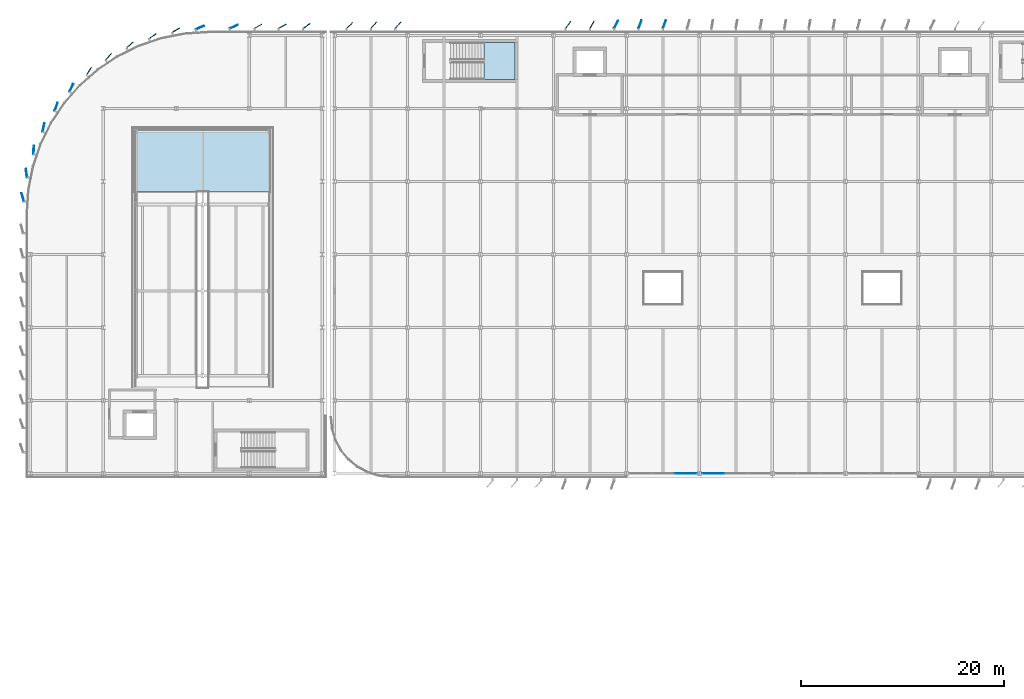
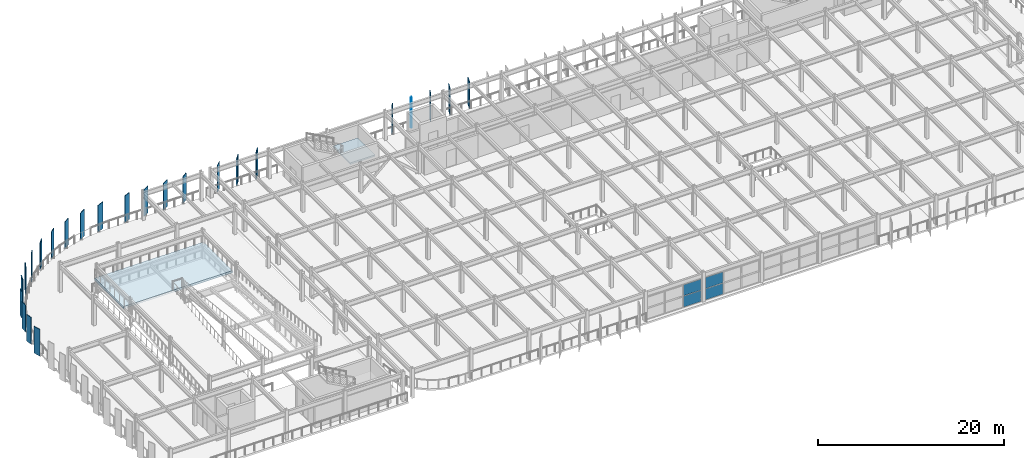
# One storey, part 28 of 52: 28 plates, 2 slabs, 3 elements without a shape of their own.
"""IFC4 building model written with IfcOpenShell, lengths in metres."""

from ifc_helpers import new_model, si_unit, direction, frame, origin, origin_2d, place, context, subcontext, project, spatial, polyline, rectangle, outline, extrude, material, layer, layer_set, type_object, element, aggregate, save


model = new_model("IFC4")

# Units and contexts
model_context = context("Model", 3, precision=1e-05, world=origin(), true_north=direction((0.0, 1.0)))
body_context = subcontext(model_context, "Body", "Model", "MODEL_VIEW")
ifc_project = project(units=[si_unit("LENGTHUNIT", "METRE"), si_unit("AREAUNIT", "SQUARE_METRE"), si_unit("VOLUMEUNIT", "CUBIC_METRE"), si_unit("PLANEANGLEUNIT", "RADIAN"), si_unit("MASSUNIT", "GRAM", prefix="KILO")], contexts=[model_context])

# Site, building, storey
site_placement = place(None, origin())
site = spatial("IfcSite", under=ifc_project, at=site_placement, CompositionType="ELEMENT")
building_placement = place(site_placement, origin())
building = spatial("IfcBuilding", under=site, at=building_placement, Name="Vaelcorin Mobility Hub", CompositionType="ELEMENT")
storey_placement = place(building_placement, frame((0.0, 0.0, 13.199951171875)))
storey = spatial("IfcBuildingStorey", under=building, at=storey_placement, Name="L03", CompositionType="ELEMENT", Elevation=13.199951171875)

# Curtain wall, plates
ifc_material_1 = material(Name="Anodised aluminium 6063-T6", Category="aluminium")
curtain_wall_type = type_object("IfcCurtainWallType", Name="CW-MOB-A", PredefinedType="NOTDEFINED", material=ifc_material_1)
curtain_wall_1_placement = place(storey_placement, origin())
curtain_wall_1 = element("IfcCurtainWall", 1, at=curtain_wall_1_placement, inside=storey, type_object=curtain_wall_type, Name="L03 Curtain Wall CW-V4-L03-S-05", PredefinedType="NOTDEFINED")
ifc_material_2 = material(Name="Low-E solar-control insulated glazing", Category="glass")
ifc_layer_1 = layer(ifc_material_2, 0.028076171875)
ifc_layer_set_1 = layer_set([ifc_layer_1], Name="Low-E solar-control insulated glazing")
plate_type_1 = type_object("IfcPlateType", Name="CW-PAN-GLZ28", PredefinedType="CURTAIN_PANEL", material=ifc_layer_set_1)
plate_1_placement = place(storey_placement, frame((70.638427734375, 76.800048828125, 0.06005859375), z_axis=(0.0, 0.0, 1.0), x_axis=(-1.0, 0.0, 0.0)))
plate_1 = element("IfcPlate", 2, at=plate_1_placement, type_object=plate_type_1, Name="CW7 panel 1.1", PredefinedType="CURTAIN_PANEL", context=body_context, shape_type="SweptSolid", body=[
    extrude(rectangle(XDim=2.163330078125, YDim=0.028076171875, at=origin_2d()), origin(), (0.0, 0.0, 1.0), 1.426025390625),
])
plate_2_placement = place(storey_placement, frame((70.638427734375, 76.800048828125, 1.5458984375), z_axis=(0.0, 0.0, 1.0), x_axis=(-1.0, 0.0, 0.0)))
plate_2 = element("IfcPlate", 3, at=plate_2_placement, type_object=plate_type_1, Name="CW7 panel 1.2", PredefinedType="CURTAIN_PANEL", context=body_context, shape_type="SweptSolid", body=[
    extrude(rectangle(XDim=2.163330078125, YDim=0.028076171875, at=origin_2d()), origin(), (0.0, 0.0, 1.0), 1.427001953125),
])
aggregate(curtain_wall_1, [plate_1, plate_2])

curtain_wall_2_placement = place(storey_placement, origin())
curtain_wall_2 = element("IfcCurtainWall", 4, at=curtain_wall_2_placement, inside=storey, type_object=curtain_wall_type, Name="L03 Curtain Wall CW-V4-L03-S-06", PredefinedType="NOTDEFINED")
plate_3_placement = place(storey_placement, frame((73.361572265625, 76.800048828125, 0.06005859375), z_axis=(0.0, 0.0, 1.0), x_axis=(-1.0, 0.0, 0.0)))
plate_3 = element("IfcPlate", 5, at=plate_3_placement, type_object=plate_type_1, Name="CW7 panel 3.1", PredefinedType="CURTAIN_PANEL", context=body_context, shape_type="SweptSolid", body=[
    extrude(rectangle(XDim=2.163330078125, YDim=0.028076171875, at=origin_2d()), origin(), (0.0, 0.0, 1.0), 1.426025390625),
])
plate_4_placement = place(storey_placement, frame((73.361572265625, 76.800048828125, 1.5458984375), z_axis=(0.0, 0.0, 1.0), x_axis=(-1.0, 0.0, 0.0)))
plate_4 = element("IfcPlate", 6, at=plate_4_placement, type_object=plate_type_1, Name="CW7 panel 3.2", PredefinedType="CURTAIN_PANEL", context=body_context, shape_type="SweptSolid", body=[
    extrude(rectangle(XDim=2.163330078125, YDim=0.028076171875, at=origin_2d()), origin(), (0.0, 0.0, 1.0), 1.427001953125),
])
aggregate(curtain_wall_2, [plate_3, plate_4])

# Plates
ifc_material_3 = material(Name="Perforated terracotta-bronze aluminium aerofoil", Category="masonry")
ifc_layer_2 = layer(ifc_material_3, 0.06494140625)
ifc_layer_set_2 = layer_set([ifc_layer_2], Name="Perforated terracotta-bronze aluminium aerofoil")
plate_type_2 = type_object("IfcPlateType", Name="PL-FIN-AF2", PredefinedType="SHEET", material=ifc_layer_set_2)
for number, where, z_axis, x_axis, name in (
    (7, (37.5009765625, 120.990966796875, -0.159912109375), (0.0, 0.0, 1.0), (0.707106781187, 0.707106781187, 0.0), "Rotating Terracotta-Bronze Aerofoil Fin FIN-V4-L03-N-01-AF-01"),
    (8, (39.873046875, 121.01611328125, -0.159912109375), (0.0, 0.0, 1.0), (0.642787609687, 0.766044443119, 0.0), "Rotating Terracotta-Bronze Aerofoil Fin FIN-V4-L03-N-01-AF-02"),
    (9, (42.27294921875, 121.01611328125, -0.159912109375), (0.0, 0.0, 1.0), (0.642787609687, 0.766044443119, 0.0), "Rotating Terracotta-Bronze Aerofoil Fin FIN-V4-L03-N-01-AF-03"),
    (10, (59.0439453125, 121.0380859375, -0.159912109375), (0.0, 0.0, 1.0), (0.573576436351, 0.819152044289, 0.0), "Rotating Terracotta-Bronze Aerofoil Fin FIN-V4-L03-N-04-AF-01"),
    (11, (61.412109375, 121.05810546875, -0.159912109375), (0.0, 0.0, 1.0), (0.5, 0.866025403784, 0.0), "Rotating Terracotta-Bronze Aerofoil Fin FIN-V4-L03-N-04-AF-02"),
    (12, (63.780029296875, 121.074951171875, -0.159912109375), (0.0, 0.0, 1.0), (0.422618261741, 0.906307787037, 0.0), "Rotating Terracotta-Bronze Aerofoil Fin FIN-V4-L03-N-04-AF-03"),
    (13, (66.14501953125, 121.089111328125, -0.159912109375), (0.0, 0.0, 1.0), (0.342020143326, 0.939692620786, 0.0), "Rotating Terracotta-Bronze Aerofoil Fin FIN-V4-L03-N-05-AF-01"),
    (14, (68.544921875, 121.089111328125, -0.159912109375), (0.0, 0.0, 1.0), (0.342020143326, 0.939692620786, 0.0), "Rotating Terracotta-Bronze Aerofoil Fin FIN-V4-L03-N-05-AF-02"),
):
    element("IfcPlate", number, at=place(storey_placement, frame(where, z_axis=z_axis, x_axis=x_axis)), inside=storey, type_object=plate_type_2, Name=name, PredefinedType="SHEET", context=body_context, shape_type="SweptSolid", body=[
        extrude(rectangle(XDim=0.85009765625, YDim=0.06494140625, at=origin_2d()), origin(), (0.0, 0.0, 1.0), 3.5),
    ])
ifc_layer_3 = layer(ifc_material_3, 0.070068359375)
ifc_layer_set_3 = layer_set([ifc_layer_3], Name="Perforated terracotta-bronze aluminium aerofoil")
plate_type_3 = type_object("IfcPlateType", Name="PL-FIN-AF3", PredefinedType="SHEET", material=ifc_layer_set_3)
for number, where, z_axis, x_axis, name in (
    (15, (26.0849609375, 120.8701171875, -0.159912109375), (0.0, 0.0, 1.0), (0.906307787037, 0.422618261741, 0.0), "Rotating Terracotta-Bronze Aerofoil Fin FIN-V2W-L03-N-AF-01"),
    (16, (28.468017578125, 120.902099609375, -0.159912109375), (0.0, 0.0, 1.0), (0.866025403784, 0.5, 0.0), "Rotating Terracotta-Bronze Aerofoil Fin FIN-V2W-L03-N-AF-02"),
    (17, (30.867919921875, 120.902099609375, -0.159912109375), (0.0, 0.0, 1.0), (0.866025403784, 0.5, 0.0), "Rotating Terracotta-Bronze Aerofoil Fin FIN-V2W-L03-N-AF-03"),
    (18, (33.248046875, 120.93408203125, -0.159912109375), (0.0, 0.0, 1.0), (0.819152044289, 0.573576436351, 0.0), "Rotating Terracotta-Bronze Aerofoil Fin FIN-V2W-L03-N-AF-04"),
    (19, (22.7490234375, 120.783935546875, -0.159912109375), (0.0, 0.0, 1.0), (0.915304449724, 0.402762664996, 0.0), "Rotating Terracotta-Bronze Aerofoil Fin FIN-V2W-L03-ARC-01"),
    (20, (20.363037109375, 120.52197265625, -0.159912109375), (0.0, 0.0, 1.0), (0.855020503539, 0.51859419446, 0.0), "Rotating Terracotta-Bronze Aerofoil Fin FIN-V2W-L03-ARC-02"),
    (21, (18.052978515625, 119.922119140625, -0.159912109375), (0.0, 0.0, 1.0), (0.831392031959, 0.555686322663, 0.0), "Rotating Terracotta-Bronze Aerofoil Fin FIN-V2W-L03-ARC-03"),
    (22, (15.819091796875, 119.054931640625, -0.159912109375), (0.0, 0.0, 1.0), (0.751724718475, 0.659477025858, 0.0), "Rotating Terracotta-Bronze Aerofoil Fin FIN-V2W-L03-ARC-04"),
    (23, (13.718017578125, 117.903076171875, -0.159912109375), (0.0, 0.0, 1.0), (0.659424543965, 0.751770756824, 0.0), "Rotating Terracotta-Bronze Aerofoil Fin FIN-V2W-L03-ARC-05"),
    (24, (11.784912109375, 116.488037109375, -0.159912109375), (0.0, 0.0, 1.0), (0.555642790316, 0.831421126488, 0.0), "Rotating Terracotta-Bronze Aerofoil Fin FIN-V2W-L03-ARC-06"),
    (25, (10.052978515625, 114.83203125, -0.159912109375), (0.0, 0.0, 1.0), (0.442210421623, 0.896911335087, 0.0), "Rotating Terracotta-Bronze Aerofoil Fin FIN-V2W-L03-ARC-07"),
    (26, (8.552978515625, 112.965087890625, -0.159912109375), (0.0, 0.0, 1.0), (0.32134030125, 0.946963785365, 0.0), "Rotating Terracotta-Bronze Aerofoil Fin FIN-V2W-L03-ARC-08"),
    (27, (7.30908203125, 110.9169921875, -0.159912109375), (0.0, 0.0, 1.0), (0.195261498368, 0.980751215781, 0.0), "Rotating Terracotta-Bronze Aerofoil Fin FIN-V2W-L03-ARC-09"),
    (28, (6.342041015625, 108.72509765625, -0.159912109375), (0.0, 0.0, 1.0), (0.065542455982, 0.997849781512, 0.0), "Rotating Terracotta-Bronze Aerofoil Fin FIN-V2W-L03-ARC-10"),
    (29, (5.633056640625, 106.4208984375, -0.159912109375), (0.0, 0.0, 1.0), (-0.152330384803, 0.988329628143, 0.0), "Rotating Terracotta-Bronze Aerofoil Fin FIN-V2W-L03-ARC-11"),
    (30, (5.26904296875, 104.048095703125, -0.159912109375), (0.0, 0.0, 1.0), (-0.279812257957, 0.960054738177, 0.0), "Rotating Terracotta-Bronze Aerofoil Fin FIN-V2W-L03-ARC-12"),
):
    element("IfcPlate", number, at=place(storey_placement, frame(where, z_axis=z_axis, x_axis=x_axis)), inside=storey, type_object=plate_type_3, Name=name, PredefinedType="SHEET", context=body_context, shape_type="SweptSolid", body=[
        extrude(rectangle(XDim=0.85009765625, YDim=0.070068359375, at=origin_2d()), origin(), (0.0, 0.0, 1.0), 3.5),
    ])

# Stair, slab
ifc_material_4 = material(Name="Reinforced concrete f'c 45 MPa", Category="concrete")
stair_type = type_object("IfcStairType", Name="STAIR-ST3", PredefinedType="HALF_TURN_STAIR", material=ifc_material_4)
stair_placement = place(storey_placement, origin())
stair = element("IfcStair", 31, at=stair_placement, inside=storey, type_object=stair_type, Name="L03 Protected Exit Stair ST3", PredefinedType="HALF_TURN_STAIR")
ifc_layer_4 = layer(ifc_material_4, 0.199951171875)
ifc_layer_set_4 = layer_set([ifc_layer_4], Name="Reinforced concrete f'c 45 MPa")
slab_type_1 = type_object("IfcSlabType", Name="SLAB-LND-200", PredefinedType="LANDING", material=ifc_layer_set_4)
slab_1_placement = place(storey_placement, frame((0.0, 0.0, 1.75)))
slab_1 = element("IfcSlab", 32, at=slab_1_placement, type_object=slab_type_1, Name="ST3 landing 1", PredefinedType="LANDING", context=body_context, shape_type="SweptSolid", body=[
    extrude(outline(polyline([(50.75, 115.64990234375), (53.800048828125, 115.64990234375), (53.800048828125, 119.330078125), (50.75, 119.330078125), (50.75, 115.64990234375)])), origin(), (0.0, 0.0, 1.0), 0.199951171875),
])
aggregate(stair, [slab_1])

# Slab
ifc_material_5 = material(Name="Concrete f'c 35 MPa", Category="concrete")
ifc_layer_5 = layer(ifc_material_5, 0.25)
ifc_layer_set_5 = layer_set([ifc_layer_5], Name="Concrete f'c 35 MPa")
slab_type_2 = type_object("IfcSlabType", Name="SLAB-RMP", PredefinedType="FLOOR", material=ifc_layer_set_5)
slab_2_placement = place(storey_placement, frame((0.0, 0.0, 1.670166015625)))
element("IfcSlab", 33, at=slab_2_placement, inside=storey, type_object=slab_type_2, Name="Vehicle Ramp VR-1 L03 Half-Turn Landing", PredefinedType="LANDING", context=body_context, shape_type="SweptSolid", body=[
    extrude(outline(polyline([(16.25, 104.56005859375), (29.75, 104.56005859375), (29.75, 110.75), (16.25, 110.75), (16.25, 104.56005859375)])), origin(), (0.0, 0.0, 1.0), 0.27978515625),
])

save(model, "model.ifc")
